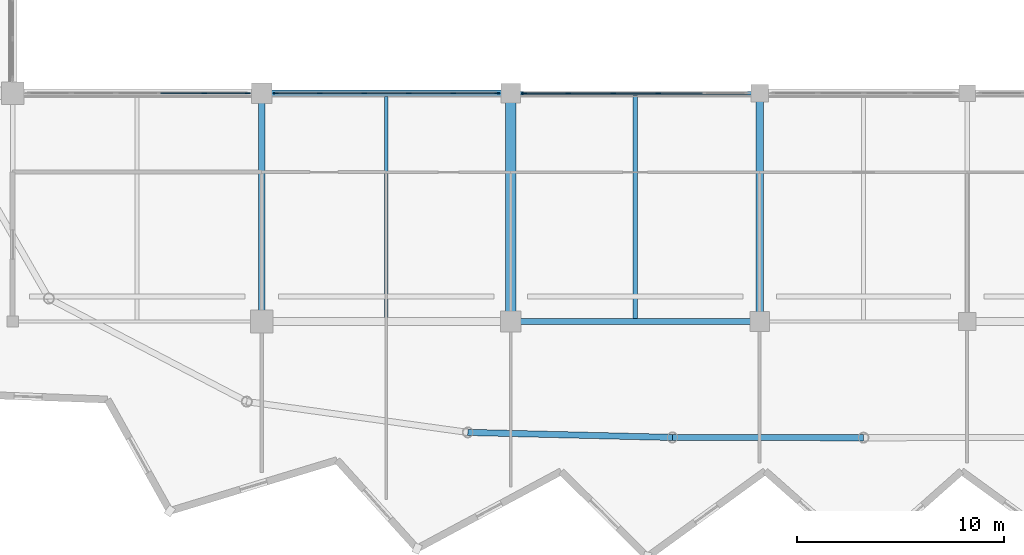
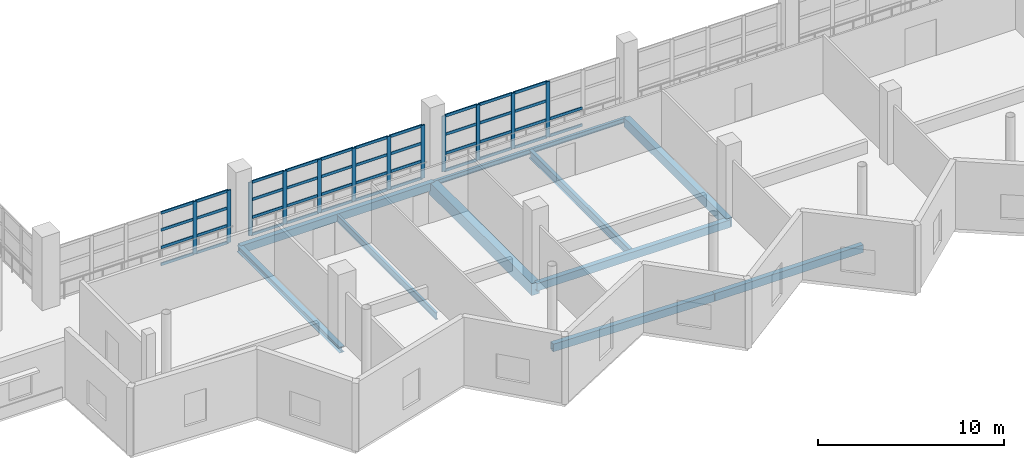
# One storey, part 12 of 53: 54 members, 10 beams, 3 elements without a shape of their own.
"""IFC4 building model written with IfcOpenShell, lengths in metres."""

from ifc_helpers import new_model, si_unit, direction, frame, origin, origin_2d, place, context, subcontext, project, spatial, rectangle, hollow_rectangle, i_section, extrude, material, material_profile, profile_set, type_object, element, aggregate, save


model = new_model("IFC4")

# Units and contexts
model_context = context("Model", 3, precision=1e-05, world=origin(), true_north=direction((0.0, 1.0)))
body_context = subcontext(model_context, "Body", "Model", "MODEL_VIEW")
ifc_project = project(units=[si_unit("LENGTHUNIT", "METRE"), si_unit("AREAUNIT", "SQUARE_METRE"), si_unit("VOLUMEUNIT", "CUBIC_METRE"), si_unit("PLANEANGLEUNIT", "RADIAN"), si_unit("MASSUNIT", "GRAM", prefix="KILO")], contexts=[model_context])

# Site, building, storey
site_placement = place(None, origin())
site = spatial("IfcSite", under=ifc_project, at=site_placement, CompositionType="ELEMENT")
building_placement = place(site_placement, origin())
building = spatial("IfcBuilding", under=site, at=building_placement, Name="Luwafu Chhajja Arena", CompositionType="ELEMENT")
storey_placement = place(building_placement, frame((0.0, 0.0, 19.5)))
storey = spatial("IfcBuildingStorey", under=building, at=storey_placement, Name="L04", CompositionType="ELEMENT", Elevation=19.5)

# Beam
ifc_material_1 = material(Name="Concrete C35/45", Category="concrete")
ifc_material_profile_1 = material_profile(ifc_material_1, rectangle(XDim=0.35009765625, YDim=0.60009765625, at=origin_2d()), Name="RC 350x600")
ifc_profile_set_1 = profile_set([ifc_material_profile_1], Name="Concrete C35/45")
beam_type_1 = type_object("IfcBeamType", Name="Arcade Tie Beam RC 350x600", PredefinedType="BEAM", material=ifc_profile_set_1)
beam_1_placement = place(storey_placement, frame((94.0, 11.0, -0.68994140625), z_axis=(0.0, 1.0, 0.0), x_axis=(-1.0, 0.0, 0.0)))
element("IfcBeam", 1, at=beam_1_placement, inside=storey, type_object=beam_type_1, Name="L04 Grid Beam 9/B-C", PredefinedType="BEAM", context=body_context, shape_type="SweptSolid", body=[
    extrude(rectangle(XDim=0.35009765625, YDim=0.60009765625, at=origin_2d()), origin(), (0.0, 0.0, 1.0), 11.0),
])

# Curtain wall, members
ifc_material_2 = material(Name="Anodised bronze aluminium", Category="aluminium")
curtain_wall_type = type_object("IfcCurtainWallType", Name="Media Ribbon Curtain Wall", PredefinedType="USERDEFINED", material=ifc_material_2)
curtain_wall_1_placement = place(storey_placement, origin())
curtain_wall_1 = element("IfcCurtainWall", 2, at=curtain_wall_1_placement, inside=storey, type_object=curtain_wall_type, Name="L04 Bowl Viewing Curtain Wall CWR-L04-01", ObjectType="CURTAIN WALL", PredefinedType="USERDEFINED")
ifc_material_profile_2 = material_profile(ifc_material_2, rectangle(XDim=0.070068359375, YDim=0.239990234375, at=origin_2d()), Name="CWM 70x240")
ifc_profile_set_2 = profile_set([ifc_material_profile_2], Name="Anodised bronze aluminium")
member_type_1 = type_object("IfcMemberType", Name="Bronze Curtain Wall Mullion 70x240", PredefinedType="MULLION", material=ifc_profile_set_2)
member_1_placement = place(storey_placement, frame((67.22607421875, 22.0, 0.0), z_axis=(0.0, 0.0, 1.0), x_axis=(0.0, 1.0, 0.0)))
member_1 = element("IfcMember", 3, at=member_1_placement, type_object=member_type_1, Name="CW-03 mullion 5", PredefinedType="MULLION", context=body_context, shape_type="SweptSolid", body=[
    extrude(rectangle(XDim=0.070068359375, YDim=0.239990234375, at=origin_2d()), origin(), (0.0, 0.0, 1.0), 3.43994140625),
])
member_2_placement = place(storey_placement, frame((69.324951171875, 22.0, 0.0), z_axis=(0.0, 0.0, 1.0), x_axis=(0.0, 1.0, 0.0)))
member_2 = element("IfcMember", 4, at=member_2_placement, type_object=member_type_1, Name="CW-03 mullion 6", PredefinedType="MULLION", context=body_context, shape_type="SweptSolid", body=[
    extrude(rectangle(XDim=0.070068359375, YDim=0.239990234375, at=origin_2d()), origin(), (0.0, 0.0, 1.0), 3.43994140625),
])

curtain_wall_2_placement = place(storey_placement, origin())
curtain_wall_2 = element("IfcCurtainWall", 5, at=curtain_wall_2_placement, inside=storey, type_object=curtain_wall_type, Name="L04 Bowl Viewing Curtain Wall CWR-L04-02", ObjectType="CURTAIN WALL", PredefinedType="USERDEFINED")
member_3_placement = place(storey_placement, frame((70.675048828125, 22.0, 0.0), z_axis=(0.0, 0.0, 1.0), x_axis=(0.0, 1.0, 0.0)))
member_3 = element("IfcMember", 6, at=member_3_placement, type_object=member_type_1, Name="CW-03 mullion 1", PredefinedType="MULLION", context=body_context, shape_type="SweptSolid", body=[
    extrude(rectangle(XDim=0.070068359375, YDim=0.239990234375, at=origin_2d()), origin(), (0.0, 0.0, 1.0), 3.489990234375),
])
member_4_placement = place(storey_placement, frame((72.7890625, 22.0, 0.0), z_axis=(0.0, 0.0, 1.0), x_axis=(0.0, 1.0, 0.0)))
member_4 = element("IfcMember", 7, at=member_4_placement, type_object=member_type_1, Name="CW-03 mullion 2", PredefinedType="MULLION", context=body_context, shape_type="SweptSolid", body=[
    extrude(rectangle(XDim=0.070068359375, YDim=0.239990234375, at=origin_2d()), origin(), (0.0, 0.0, 1.0), 3.489990234375),
])
member_5_placement = place(storey_placement, frame((74.93798828125, 22.0, 0.0), z_axis=(0.0, 0.0, 1.0), x_axis=(0.0, 1.0, 0.0)))
member_5 = element("IfcMember", 8, at=member_5_placement, type_object=member_type_1, Name="CW-03 mullion 3", PredefinedType="MULLION", context=body_context, shape_type="SweptSolid", body=[
    extrude(rectangle(XDim=0.070068359375, YDim=0.239990234375, at=origin_2d()), origin(), (0.0, 0.0, 1.0), 3.489990234375),
])
member_6_placement = place(storey_placement, frame((77.0869140625, 22.0, 0.0), z_axis=(0.0, 0.0, 1.0), x_axis=(0.0, 1.0, 0.0)))
member_6 = element("IfcMember", 9, at=member_6_placement, type_object=member_type_1, Name="CW-03 mullion 4", PredefinedType="MULLION", context=body_context, shape_type="SweptSolid", body=[
    extrude(rectangle(XDim=0.070068359375, YDim=0.239990234375, at=origin_2d()), origin(), (0.0, 0.0, 1.0), 3.489990234375),
])
member_7_placement = place(storey_placement, frame((79.236083984375, 22.0, 0.0), z_axis=(0.0, 0.0, 1.0), x_axis=(0.0, 1.0, 0.0)))
member_7 = element("IfcMember", 10, at=member_7_placement, type_object=member_type_1, Name="CW-03 mullion 5", PredefinedType="MULLION", context=body_context, shape_type="SweptSolid", body=[
    extrude(rectangle(XDim=0.070068359375, YDim=0.239990234375, at=origin_2d()), origin(), (0.0, 0.0, 1.0), 3.489990234375),
])
member_8_placement = place(storey_placement, frame((81.35009765625, 22.0, 0.0), z_axis=(0.0, 0.0, 1.0), x_axis=(0.0, 1.0, 0.0)))
member_8 = element("IfcMember", 11, at=member_8_placement, type_object=member_type_1, Name="CW-03 mullion 6", PredefinedType="MULLION", context=body_context, shape_type="SweptSolid", body=[
    extrude(rectangle(XDim=0.070068359375, YDim=0.239990234375, at=origin_2d()), origin(), (0.0, 0.0, 1.0), 3.489990234375),
])

curtain_wall_3_placement = place(storey_placement, origin())
curtain_wall_3 = element("IfcCurtainWall", 12, at=curtain_wall_3_placement, inside=storey, type_object=curtain_wall_type, Name="L04 Bowl Viewing Curtain Wall CWR-L04-03", ObjectType="CURTAIN WALL", PredefinedType="USERDEFINED")
member_9_placement = place(storey_placement, frame((82.64990234375, 22.0, 0.0), z_axis=(0.0, 0.0, 1.0), x_axis=(0.0, 1.0, 0.0)))
member_9 = element("IfcMember", 13, at=member_9_placement, type_object=member_type_1, Name="CW-03 mullion 1", PredefinedType="MULLION", context=body_context, shape_type="SweptSolid", body=[
    extrude(rectangle(XDim=0.070068359375, YDim=0.239990234375, at=origin_2d()), origin(), (0.0, 0.0, 1.0), 3.639892578125),
])
member_10_placement = place(storey_placement, frame((84.779052734375, 22.0, 0.0), z_axis=(0.0, 0.0, 1.0), x_axis=(0.0, 1.0, 0.0)))
member_10 = element("IfcMember", 14, at=member_10_placement, type_object=member_type_1, Name="CW-03 mullion 2", PredefinedType="MULLION", context=body_context, shape_type="SweptSolid", body=[
    extrude(rectangle(XDim=0.070068359375, YDim=0.239990234375, at=origin_2d()), origin(), (0.0, 0.0, 1.0), 3.639892578125),
])
member_11_placement = place(storey_placement, frame((86.943115234375, 22.0, 0.0), z_axis=(0.0, 0.0, 1.0), x_axis=(0.0, 1.0, 0.0)))
member_11 = element("IfcMember", 15, at=member_11_placement, type_object=member_type_1, Name="CW-03 mullion 3", PredefinedType="MULLION", context=body_context, shape_type="SweptSolid", body=[
    extrude(rectangle(XDim=0.070068359375, YDim=0.239990234375, at=origin_2d()), origin(), (0.0, 0.0, 1.0), 3.639892578125),
])
member_12_placement = place(storey_placement, frame((89.10693359375, 22.0, 0.0), z_axis=(0.0, 0.0, 1.0), x_axis=(0.0, 1.0, 0.0)))
member_12 = element("IfcMember", 16, at=member_12_placement, type_object=member_type_1, Name="CW-03 mullion 4", PredefinedType="MULLION", context=body_context, shape_type="SweptSolid", body=[
    extrude(rectangle(XDim=0.070068359375, YDim=0.239990234375, at=origin_2d()), origin(), (0.0, 0.0, 1.0), 3.639892578125),
])

# Member
ifc_material_profile_3 = material_profile(ifc_material_2, rectangle(XDim=0.070068359375, YDim=0.179931640625, at=origin_2d()), Name="CWT 70x180")
ifc_profile_set_3 = profile_set([ifc_material_profile_3], Name="Anodised bronze aluminium")
member_type_2 = type_object("IfcMemberType", Name="Bronze Curtain Wall Transom 70x180", PredefinedType="USERDEFINED", material=ifc_profile_set_3)
member_13_placement = place(storey_placement, frame((65.126953125, 22.0, 0.034912109375), z_axis=(1.0, 0.0, 0.0), x_axis=(0.0, 1.0, 0.0)))
member_13 = element("IfcMember", 17, at=member_13_placement, type_object=member_type_2, Name="CW-03 transom 4.1", ObjectType="TRANSOM", PredefinedType="USERDEFINED", context=body_context, shape_type="SweptSolid", body=[
    extrude(rectangle(XDim=0.070068359375, YDim=0.179931640625, at=origin_2d()), origin(), (0.0, 0.0, 1.0), 2.06396484375),
])

member_14_placement = place(storey_placement, frame((65.126953125, 22.0, 1.14990234375), z_axis=(1.0, 0.0, 0.0), x_axis=(0.0, 1.0, 0.0)))
member_14 = element("IfcMember", 18, at=member_14_placement, type_object=member_type_2, Name="CW-03 transom 4.2", ObjectType="TRANSOM", PredefinedType="USERDEFINED", context=body_context, shape_type="SweptSolid", body=[
    extrude(rectangle(XDim=0.070068359375, YDim=0.179931640625, at=origin_2d()), origin(), (0.0, 0.0, 1.0), 2.06396484375),
])

member_15_placement = place(storey_placement, frame((65.126953125, 22.0, 2.294921875), z_axis=(1.0, 0.0, 0.0), x_axis=(0.0, 1.0, 0.0)))
member_15 = element("IfcMember", 19, at=member_15_placement, type_object=member_type_2, Name="CW-03 transom 4.3", ObjectType="TRANSOM", PredefinedType="USERDEFINED", context=body_context, shape_type="SweptSolid", body=[
    extrude(rectangle(XDim=0.070068359375, YDim=0.179931640625, at=origin_2d()), origin(), (0.0, 0.0, 1.0), 2.06396484375),
])

member_16_placement = place(storey_placement, frame((65.126953125, 22.0, 3.405029296875), z_axis=(1.0, 0.0, 0.0), x_axis=(0.0, 1.0, 0.0)))
member_16 = element("IfcMember", 20, at=member_16_placement, type_object=member_type_2, Name="CW-03 transom 4.4", ObjectType="TRANSOM", PredefinedType="USERDEFINED", context=body_context, shape_type="SweptSolid", body=[
    extrude(rectangle(XDim=0.070068359375, YDim=0.179931640625, at=origin_2d()), origin(), (0.0, 0.0, 1.0), 2.06396484375),
])

member_17_placement = place(storey_placement, frame((67.260986328125, 22.0, 0.034912109375), z_axis=(1.0, 0.0, 0.0), x_axis=(0.0, 1.0, 0.0)))
member_17 = element("IfcMember", 21, at=member_17_placement, type_object=member_type_2, Name="CW-03 transom 5.1", ObjectType="TRANSOM", PredefinedType="USERDEFINED", context=body_context, shape_type="SweptSolid", body=[
    extrude(rectangle(XDim=0.070068359375, YDim=0.179931640625, at=origin_2d()), origin(), (0.0, 0.0, 1.0), 2.029052734375),
])

member_18_placement = place(storey_placement, frame((67.260986328125, 22.0, 1.14990234375), z_axis=(1.0, 0.0, 0.0), x_axis=(0.0, 1.0, 0.0)))
member_18 = element("IfcMember", 22, at=member_18_placement, type_object=member_type_2, Name="CW-03 transom 5.2", ObjectType="TRANSOM", PredefinedType="USERDEFINED", context=body_context, shape_type="SweptSolid", body=[
    extrude(rectangle(XDim=0.070068359375, YDim=0.179931640625, at=origin_2d()), origin(), (0.0, 0.0, 1.0), 2.029052734375),
])

member_19_placement = place(storey_placement, frame((67.260986328125, 22.0, 2.294921875), z_axis=(1.0, 0.0, 0.0), x_axis=(0.0, 1.0, 0.0)))
member_19 = element("IfcMember", 23, at=member_19_placement, type_object=member_type_2, Name="CW-03 transom 5.3", ObjectType="TRANSOM", PredefinedType="USERDEFINED", context=body_context, shape_type="SweptSolid", body=[
    extrude(rectangle(XDim=0.070068359375, YDim=0.179931640625, at=origin_2d()), origin(), (0.0, 0.0, 1.0), 2.029052734375),
])

member_20_placement = place(storey_placement, frame((67.260986328125, 22.0, 3.405029296875), z_axis=(1.0, 0.0, 0.0), x_axis=(0.0, 1.0, 0.0)))
member_20 = element("IfcMember", 24, at=member_20_placement, type_object=member_type_2, Name="CW-03 transom 5.4", ObjectType="TRANSOM", PredefinedType="USERDEFINED", context=body_context, shape_type="SweptSolid", body=[
    extrude(rectangle(XDim=0.070068359375, YDim=0.179931640625, at=origin_2d()), origin(), (0.0, 0.0, 1.0), 2.029052734375),
])

aggregate(curtain_wall_1, [member_1, member_2, member_13, member_14, member_15, member_16, member_17, member_18, member_19, member_20])

member_21_placement = place(storey_placement, frame((70.7099609375, 22.0, 0.034912109375), z_axis=(1.0, 0.0, 0.0), x_axis=(0.0, 1.0, 0.0)))
member_21 = element("IfcMember", 25, at=member_21_placement, type_object=member_type_2, Name="CW-03 transom 1.1", ObjectType="TRANSOM", PredefinedType="USERDEFINED", context=body_context, shape_type="SweptSolid", body=[
    extrude(rectangle(XDim=0.070068359375, YDim=0.179931640625, at=origin_2d()), origin(), (0.0, 0.0, 1.0), 2.0439453125),
])

member_22_placement = place(storey_placement, frame((70.7099609375, 22.0, 1.14990234375), z_axis=(1.0, 0.0, 0.0), x_axis=(0.0, 1.0, 0.0)))
member_22 = element("IfcMember", 26, at=member_22_placement, type_object=member_type_2, Name="CW-03 transom 1.2", ObjectType="TRANSOM", PredefinedType="USERDEFINED", context=body_context, shape_type="SweptSolid", body=[
    extrude(rectangle(XDim=0.070068359375, YDim=0.179931640625, at=origin_2d()), origin(), (0.0, 0.0, 1.0), 2.0439453125),
])

member_23_placement = place(storey_placement, frame((70.7099609375, 22.0, 2.320068359375), z_axis=(1.0, 0.0, 0.0), x_axis=(0.0, 1.0, 0.0)))
member_23 = element("IfcMember", 27, at=member_23_placement, type_object=member_type_2, Name="CW-03 transom 1.3", ObjectType="TRANSOM", PredefinedType="USERDEFINED", context=body_context, shape_type="SweptSolid", body=[
    extrude(rectangle(XDim=0.070068359375, YDim=0.179931640625, at=origin_2d()), origin(), (0.0, 0.0, 1.0), 2.0439453125),
])

member_24_placement = place(storey_placement, frame((70.7099609375, 22.0, 3.455078125), z_axis=(1.0, 0.0, 0.0), x_axis=(0.0, 1.0, 0.0)))
member_24 = element("IfcMember", 28, at=member_24_placement, type_object=member_type_2, Name="CW-03 transom 1.4", ObjectType="TRANSOM", PredefinedType="USERDEFINED", context=body_context, shape_type="SweptSolid", body=[
    extrude(rectangle(XDim=0.070068359375, YDim=0.179931640625, at=origin_2d()), origin(), (0.0, 0.0, 1.0), 2.0439453125),
])

member_25_placement = place(storey_placement, frame((72.823974609375, 22.0, 0.034912109375), z_axis=(1.0, 0.0, 0.0), x_axis=(0.0, 1.0, 0.0)))
member_25 = element("IfcMember", 29, at=member_25_placement, type_object=member_type_2, Name="CW-03 transom 2.1", ObjectType="TRANSOM", PredefinedType="USERDEFINED", context=body_context, shape_type="SweptSolid", body=[
    extrude(rectangle(XDim=0.070068359375, YDim=0.179931640625, at=origin_2d()), origin(), (0.0, 0.0, 1.0), 2.0791015625),
])

member_26_placement = place(storey_placement, frame((72.823974609375, 22.0, 1.14990234375), z_axis=(1.0, 0.0, 0.0), x_axis=(0.0, 1.0, 0.0)))
member_26 = element("IfcMember", 30, at=member_26_placement, type_object=member_type_2, Name="CW-03 transom 2.2", ObjectType="TRANSOM", PredefinedType="USERDEFINED", context=body_context, shape_type="SweptSolid", body=[
    extrude(rectangle(XDim=0.070068359375, YDim=0.179931640625, at=origin_2d()), origin(), (0.0, 0.0, 1.0), 2.0791015625),
])

member_27_placement = place(storey_placement, frame((72.823974609375, 22.0, 2.320068359375), z_axis=(1.0, 0.0, 0.0), x_axis=(0.0, 1.0, 0.0)))
member_27 = element("IfcMember", 31, at=member_27_placement, type_object=member_type_2, Name="CW-03 transom 2.3", ObjectType="TRANSOM", PredefinedType="USERDEFINED", context=body_context, shape_type="SweptSolid", body=[
    extrude(rectangle(XDim=0.070068359375, YDim=0.179931640625, at=origin_2d()), origin(), (0.0, 0.0, 1.0), 2.0791015625),
])

member_28_placement = place(storey_placement, frame((72.823974609375, 22.0, 3.455078125), z_axis=(1.0, 0.0, 0.0), x_axis=(0.0, 1.0, 0.0)))
member_28 = element("IfcMember", 32, at=member_28_placement, type_object=member_type_2, Name="CW-03 transom 2.4", ObjectType="TRANSOM", PredefinedType="USERDEFINED", context=body_context, shape_type="SweptSolid", body=[
    extrude(rectangle(XDim=0.070068359375, YDim=0.179931640625, at=origin_2d()), origin(), (0.0, 0.0, 1.0), 2.0791015625),
])

member_29_placement = place(storey_placement, frame((74.972900390625, 22.0, 0.034912109375), z_axis=(1.0, 0.0, 0.0), x_axis=(0.0, 1.0, 0.0)))
member_29 = element("IfcMember", 33, at=member_29_placement, type_object=member_type_2, Name="CW-03 transom 3.1", ObjectType="TRANSOM", PredefinedType="USERDEFINED", context=body_context, shape_type="SweptSolid", body=[
    extrude(rectangle(XDim=0.070068359375, YDim=0.179931640625, at=origin_2d()), origin(), (0.0, 0.0, 1.0), 2.0791015625),
])

member_30_placement = place(storey_placement, frame((74.972900390625, 22.0, 1.14990234375), z_axis=(1.0, 0.0, 0.0), x_axis=(0.0, 1.0, 0.0)))
member_30 = element("IfcMember", 34, at=member_30_placement, type_object=member_type_2, Name="CW-03 transom 3.2", ObjectType="TRANSOM", PredefinedType="USERDEFINED", context=body_context, shape_type="SweptSolid", body=[
    extrude(rectangle(XDim=0.070068359375, YDim=0.179931640625, at=origin_2d()), origin(), (0.0, 0.0, 1.0), 2.0791015625),
])

member_31_placement = place(storey_placement, frame((74.972900390625, 22.0, 2.320068359375), z_axis=(1.0, 0.0, 0.0), x_axis=(0.0, 1.0, 0.0)))
member_31 = element("IfcMember", 35, at=member_31_placement, type_object=member_type_2, Name="CW-03 transom 3.3", ObjectType="TRANSOM", PredefinedType="USERDEFINED", context=body_context, shape_type="SweptSolid", body=[
    extrude(rectangle(XDim=0.070068359375, YDim=0.179931640625, at=origin_2d()), origin(), (0.0, 0.0, 1.0), 2.0791015625),
])

member_32_placement = place(storey_placement, frame((74.972900390625, 22.0, 3.455078125), z_axis=(1.0, 0.0, 0.0), x_axis=(0.0, 1.0, 0.0)))
member_32 = element("IfcMember", 36, at=member_32_placement, type_object=member_type_2, Name="CW-03 transom 3.4", ObjectType="TRANSOM", PredefinedType="USERDEFINED", context=body_context, shape_type="SweptSolid", body=[
    extrude(rectangle(XDim=0.070068359375, YDim=0.179931640625, at=origin_2d()), origin(), (0.0, 0.0, 1.0), 2.0791015625),
])

member_33_placement = place(storey_placement, frame((77.1220703125, 22.0, 0.034912109375), z_axis=(1.0, 0.0, 0.0), x_axis=(0.0, 1.0, 0.0)))
member_33 = element("IfcMember", 37, at=member_33_placement, type_object=member_type_2, Name="CW-03 transom 4.1", ObjectType="TRANSOM", PredefinedType="USERDEFINED", context=body_context, shape_type="SweptSolid", body=[
    extrude(rectangle(XDim=0.070068359375, YDim=0.179931640625, at=origin_2d()), origin(), (0.0, 0.0, 1.0), 2.078857421875),
])

member_34_placement = place(storey_placement, frame((77.1220703125, 22.0, 1.14990234375), z_axis=(1.0, 0.0, 0.0), x_axis=(0.0, 1.0, 0.0)))
member_34 = element("IfcMember", 38, at=member_34_placement, type_object=member_type_2, Name="CW-03 transom 4.2", ObjectType="TRANSOM", PredefinedType="USERDEFINED", context=body_context, shape_type="SweptSolid", body=[
    extrude(rectangle(XDim=0.070068359375, YDim=0.179931640625, at=origin_2d()), origin(), (0.0, 0.0, 1.0), 2.078857421875),
])

member_35_placement = place(storey_placement, frame((77.1220703125, 22.0, 2.320068359375), z_axis=(1.0, 0.0, 0.0), x_axis=(0.0, 1.0, 0.0)))
member_35 = element("IfcMember", 39, at=member_35_placement, type_object=member_type_2, Name="CW-03 transom 4.3", ObjectType="TRANSOM", PredefinedType="USERDEFINED", context=body_context, shape_type="SweptSolid", body=[
    extrude(rectangle(XDim=0.070068359375, YDim=0.179931640625, at=origin_2d()), origin(), (0.0, 0.0, 1.0), 2.078857421875),
])

member_36_placement = place(storey_placement, frame((77.1220703125, 22.0, 3.455078125), z_axis=(1.0, 0.0, 0.0), x_axis=(0.0, 1.0, 0.0)))
member_36 = element("IfcMember", 40, at=member_36_placement, type_object=member_type_2, Name="CW-03 transom 4.4", ObjectType="TRANSOM", PredefinedType="USERDEFINED", context=body_context, shape_type="SweptSolid", body=[
    extrude(rectangle(XDim=0.070068359375, YDim=0.179931640625, at=origin_2d()), origin(), (0.0, 0.0, 1.0), 2.078857421875),
])

member_37_placement = place(storey_placement, frame((79.27099609375, 22.0, 0.034912109375), z_axis=(1.0, 0.0, 0.0), x_axis=(0.0, 1.0, 0.0)))
member_37 = element("IfcMember", 41, at=member_37_placement, type_object=member_type_2, Name="CW-03 transom 5.1", ObjectType="TRANSOM", PredefinedType="USERDEFINED", context=body_context, shape_type="SweptSolid", body=[
    extrude(rectangle(XDim=0.070068359375, YDim=0.179931640625, at=origin_2d()), origin(), (0.0, 0.0, 1.0), 2.0439453125),
])

member_38_placement = place(storey_placement, frame((79.27099609375, 22.0, 1.14990234375), z_axis=(1.0, 0.0, 0.0), x_axis=(0.0, 1.0, 0.0)))
member_38 = element("IfcMember", 42, at=member_38_placement, type_object=member_type_2, Name="CW-03 transom 5.2", ObjectType="TRANSOM", PredefinedType="USERDEFINED", context=body_context, shape_type="SweptSolid", body=[
    extrude(rectangle(XDim=0.070068359375, YDim=0.179931640625, at=origin_2d()), origin(), (0.0, 0.0, 1.0), 2.0439453125),
])

member_39_placement = place(storey_placement, frame((79.27099609375, 22.0, 2.320068359375), z_axis=(1.0, 0.0, 0.0), x_axis=(0.0, 1.0, 0.0)))
member_39 = element("IfcMember", 43, at=member_39_placement, type_object=member_type_2, Name="CW-03 transom 5.3", ObjectType="TRANSOM", PredefinedType="USERDEFINED", context=body_context, shape_type="SweptSolid", body=[
    extrude(rectangle(XDim=0.070068359375, YDim=0.179931640625, at=origin_2d()), origin(), (0.0, 0.0, 1.0), 2.0439453125),
])

member_40_placement = place(storey_placement, frame((79.27099609375, 22.0, 3.455078125), z_axis=(1.0, 0.0, 0.0), x_axis=(0.0, 1.0, 0.0)))
member_40 = element("IfcMember", 44, at=member_40_placement, type_object=member_type_2, Name="CW-03 transom 5.4", ObjectType="TRANSOM", PredefinedType="USERDEFINED", context=body_context, shape_type="SweptSolid", body=[
    extrude(rectangle(XDim=0.070068359375, YDim=0.179931640625, at=origin_2d()), origin(), (0.0, 0.0, 1.0), 2.0439453125),
])

aggregate(curtain_wall_2, [member_3, member_4, member_5, member_6, member_7, member_8, member_21, member_22, member_23, member_24, member_25, member_26, member_27, member_28, member_29, member_30, member_31, member_32, member_33, member_34, member_35, member_36, member_37, member_38, member_39, member_40])

member_41_placement = place(storey_placement, frame((82.68505859375, 22.0, 0.034912109375), z_axis=(1.0, 0.0, 0.0), x_axis=(0.0, 1.0, 0.0)))
member_41 = element("IfcMember", 45, at=member_41_placement, type_object=member_type_2, Name="CW-03 transom 1.1", ObjectType="TRANSOM", PredefinedType="USERDEFINED", context=body_context, shape_type="SweptSolid", body=[
    extrude(rectangle(XDim=0.070068359375, YDim=0.179931640625, at=origin_2d()), origin(), (0.0, 0.0, 1.0), 2.058837890625),
])

member_42_placement = place(storey_placement, frame((82.68505859375, 22.0, 1.14990234375), z_axis=(1.0, 0.0, 0.0), x_axis=(0.0, 1.0, 0.0)))
member_42 = element("IfcMember", 46, at=member_42_placement, type_object=member_type_2, Name="CW-03 transom 1.2", ObjectType="TRANSOM", PredefinedType="USERDEFINED", context=body_context, shape_type="SweptSolid", body=[
    extrude(rectangle(XDim=0.070068359375, YDim=0.179931640625, at=origin_2d()), origin(), (0.0, 0.0, 1.0), 2.058837890625),
])

member_43_placement = place(storey_placement, frame((82.68505859375, 22.0, 2.39501953125), z_axis=(1.0, 0.0, 0.0), x_axis=(0.0, 1.0, 0.0)))
member_43 = element("IfcMember", 47, at=member_43_placement, type_object=member_type_2, Name="CW-03 transom 1.3", ObjectType="TRANSOM", PredefinedType="USERDEFINED", context=body_context, shape_type="SweptSolid", body=[
    extrude(rectangle(XDim=0.070068359375, YDim=0.179931640625, at=origin_2d()), origin(), (0.0, 0.0, 1.0), 2.058837890625),
])

member_44_placement = place(storey_placement, frame((82.68505859375, 22.0, 3.60498046875), z_axis=(1.0, 0.0, 0.0), x_axis=(0.0, 1.0, 0.0)))
member_44 = element("IfcMember", 48, at=member_44_placement, type_object=member_type_2, Name="CW-03 transom 1.4", ObjectType="TRANSOM", PredefinedType="USERDEFINED", context=body_context, shape_type="SweptSolid", body=[
    extrude(rectangle(XDim=0.070068359375, YDim=0.179931640625, at=origin_2d()), origin(), (0.0, 0.0, 1.0), 2.058837890625),
])

member_45_placement = place(storey_placement, frame((84.81396484375, 22.0, 0.034912109375), z_axis=(1.0, 0.0, 0.0), x_axis=(0.0, 1.0, 0.0)))
member_45 = element("IfcMember", 49, at=member_45_placement, type_object=member_type_2, Name="CW-03 transom 2.1", ObjectType="TRANSOM", PredefinedType="USERDEFINED", context=body_context, shape_type="SweptSolid", body=[
    extrude(rectangle(XDim=0.070068359375, YDim=0.179931640625, at=origin_2d()), origin(), (0.0, 0.0, 1.0), 2.093994140625),
])

member_46_placement = place(storey_placement, frame((84.81396484375, 22.0, 1.14990234375), z_axis=(1.0, 0.0, 0.0), x_axis=(0.0, 1.0, 0.0)))
member_46 = element("IfcMember", 50, at=member_46_placement, type_object=member_type_2, Name="CW-03 transom 2.2", ObjectType="TRANSOM", PredefinedType="USERDEFINED", context=body_context, shape_type="SweptSolid", body=[
    extrude(rectangle(XDim=0.070068359375, YDim=0.179931640625, at=origin_2d()), origin(), (0.0, 0.0, 1.0), 2.093994140625),
])

member_47_placement = place(storey_placement, frame((84.81396484375, 22.0, 2.39501953125), z_axis=(1.0, 0.0, 0.0), x_axis=(0.0, 1.0, 0.0)))
member_47 = element("IfcMember", 51, at=member_47_placement, type_object=member_type_2, Name="CW-03 transom 2.3", ObjectType="TRANSOM", PredefinedType="USERDEFINED", context=body_context, shape_type="SweptSolid", body=[
    extrude(rectangle(XDim=0.070068359375, YDim=0.179931640625, at=origin_2d()), origin(), (0.0, 0.0, 1.0), 2.093994140625),
])

member_48_placement = place(storey_placement, frame((84.81396484375, 22.0, 3.60498046875), z_axis=(1.0, 0.0, 0.0), x_axis=(0.0, 1.0, 0.0)))
member_48 = element("IfcMember", 52, at=member_48_placement, type_object=member_type_2, Name="CW-03 transom 2.4", ObjectType="TRANSOM", PredefinedType="USERDEFINED", context=body_context, shape_type="SweptSolid", body=[
    extrude(rectangle(XDim=0.070068359375, YDim=0.179931640625, at=origin_2d()), origin(), (0.0, 0.0, 1.0), 2.093994140625),
])

member_49_placement = place(storey_placement, frame((86.97802734375, 22.0, 0.034912109375), z_axis=(1.0, 0.0, 0.0), x_axis=(0.0, 1.0, 0.0)))
member_49 = element("IfcMember", 53, at=member_49_placement, type_object=member_type_2, Name="CW-03 transom 3.1", ObjectType="TRANSOM", PredefinedType="USERDEFINED", context=body_context, shape_type="SweptSolid", body=[
    extrude(rectangle(XDim=0.070068359375, YDim=0.179931640625, at=origin_2d()), origin(), (0.0, 0.0, 1.0), 2.093994140625),
])

member_50_placement = place(storey_placement, frame((86.97802734375, 22.0, 1.14990234375), z_axis=(1.0, 0.0, 0.0), x_axis=(0.0, 1.0, 0.0)))
member_50 = element("IfcMember", 54, at=member_50_placement, type_object=member_type_2, Name="CW-03 transom 3.2", ObjectType="TRANSOM", PredefinedType="USERDEFINED", context=body_context, shape_type="SweptSolid", body=[
    extrude(rectangle(XDim=0.070068359375, YDim=0.179931640625, at=origin_2d()), origin(), (0.0, 0.0, 1.0), 2.093994140625),
])

member_51_placement = place(storey_placement, frame((86.97802734375, 22.0, 2.39501953125), z_axis=(1.0, 0.0, 0.0), x_axis=(0.0, 1.0, 0.0)))
member_51 = element("IfcMember", 55, at=member_51_placement, type_object=member_type_2, Name="CW-03 transom 3.3", ObjectType="TRANSOM", PredefinedType="USERDEFINED", context=body_context, shape_type="SweptSolid", body=[
    extrude(rectangle(XDim=0.070068359375, YDim=0.179931640625, at=origin_2d()), origin(), (0.0, 0.0, 1.0), 2.093994140625),
])

member_52_placement = place(storey_placement, frame((86.97802734375, 22.0, 3.60498046875), z_axis=(1.0, 0.0, 0.0), x_axis=(0.0, 1.0, 0.0)))
member_52 = element("IfcMember", 56, at=member_52_placement, type_object=member_type_2, Name="CW-03 transom 3.4", ObjectType="TRANSOM", PredefinedType="USERDEFINED", context=body_context, shape_type="SweptSolid", body=[
    extrude(rectangle(XDim=0.070068359375, YDim=0.179931640625, at=origin_2d()), origin(), (0.0, 0.0, 1.0), 2.093994140625),
])

member_53_placement = place(storey_placement, frame((89.14208984375, 22.0, 0.034912109375), z_axis=(1.0, 0.0, 0.0), x_axis=(0.0, 1.0, 0.0)))
member_53 = element("IfcMember", 57, at=member_53_placement, type_object=member_type_2, Name="CW-03 transom 4.1", ObjectType="TRANSOM", PredefinedType="USERDEFINED", context=body_context, shape_type="SweptSolid", body=[
    extrude(rectangle(XDim=0.070068359375, YDim=0.179931640625, at=origin_2d()), origin(), (0.0, 0.0, 1.0), 2.093994140625),
])

member_54_placement = place(storey_placement, frame((89.14208984375, 22.0, 1.14990234375), z_axis=(1.0, 0.0, 0.0), x_axis=(0.0, 1.0, 0.0)))
member_54 = element("IfcMember", 58, at=member_54_placement, type_object=member_type_2, Name="CW-03 transom 4.2", ObjectType="TRANSOM", PredefinedType="USERDEFINED", context=body_context, shape_type="SweptSolid", body=[
    extrude(rectangle(XDim=0.070068359375, YDim=0.179931640625, at=origin_2d()), origin(), (0.0, 0.0, 1.0), 2.093994140625),
])

aggregate(curtain_wall_3, [member_9, member_10, member_11, member_12, member_41, member_42, member_43, member_44, member_45, member_46, member_47, member_48, member_49, member_50, member_51, member_52, member_53, member_54])

# Beams
ifc_material_3 = material(Name="Steel S355", Category="steel")
ifc_material_profile_4 = material_profile(ifc_material_3, i_section(OverallWidth=0.165771484375, OverallDepth=0.306640625, WebThickness=0.006591796875, FlangeThickness=0.01171875, at=origin_2d()), Name="UB 305x165x46")
ifc_profile_set_4 = profile_set([ifc_material_profile_4], Name="Steel S355")
beam_type_2 = type_object("IfcBeamType", Name="Concourse Edge Spandrel Beam UB 305x165x46", PredefinedType="SPANDREL", material=ifc_profile_set_4)
beam_2_placement = place(storey_placement, frame((82.0, 22.0, -0.543212890625), z_axis=(1.0, 0.0, 0.0), x_axis=(0.0, 1.0, 0.0)))
element("IfcBeam", 59, at=beam_2_placement, inside=storey, type_object=beam_type_2, Name="L04 Grid Beam 8-9/C", PredefinedType="SPANDREL", context=body_context, shape_type="SweptSolid", body=[
    extrude(i_section(OverallWidth=0.165771484375, OverallDepth=0.306640625, WebThickness=0.006591796875, FlangeThickness=0.01171875, at=origin_2d()), origin(), (0.0, 0.0, 1.0), 12.0),
])
ifc_material_profile_5 = material_profile(ifc_material_3, i_section(OverallWidth=0.15283203125, OverallDepth=0.45458984375, WebThickness=0.008056640625, FlangeThickness=0.01318359375, at=origin_2d()), Name="UB 457x152x60")
ifc_profile_set_5 = profile_set([ifc_material_profile_5], Name="Steel S355")
beam_type_3 = type_object("IfcBeamType", Name="Floor Joist UB 457x152x60", PredefinedType="JOIST", material=ifc_profile_set_5)
beam_3_placement = place(storey_placement, frame((76.0, 11.199951171875, -0.6171875), z_axis=(0.0, 1.0, 0.0), x_axis=(-1.0, 0.0, 0.0)))
element("IfcBeam", 60, at=beam_3_placement, inside=storey, type_object=beam_type_3, Name="L04 Secondary Joist 7-8/B", PredefinedType="JOIST", context=body_context, shape_type="SweptSolid", body=[
    extrude(i_section(OverallWidth=0.15283203125, OverallDepth=0.45458984375, WebThickness=0.008056640625, FlangeThickness=0.01318359375, at=origin_2d()), origin(), (0.0, 0.0, 1.0), 10.650146484375),
])
ifc_material_profile_6 = material_profile(ifc_material_3, i_section(OverallWidth=0.2099609375, OverallDepth=0.53662109375, WebThickness=0.0107421875, FlangeThickness=0.017333984375, at=origin_2d()), Name="UB 533x210x101")
ifc_profile_set_6 = profile_set([ifc_material_profile_6], Name="Steel S355")
beam_type_4 = type_object("IfcBeamType", Name="Floor Joist UB 533x210x101", PredefinedType="JOIST", material=ifc_profile_set_6)
beam_4_placement = place(storey_placement, frame((88.0, 11.14990234375, -0.658447265625), z_axis=(0.0, 1.0, 0.0), x_axis=(-1.0, 0.0, 0.0)))
element("IfcBeam", 61, at=beam_4_placement, inside=storey, type_object=beam_type_4, Name="L04 Secondary Joist 8-9/B", PredefinedType="JOIST", context=body_context, shape_type="SweptSolid", body=[
    extrude(i_section(OverallWidth=0.2099609375, OverallDepth=0.53662109375, WebThickness=0.0107421875, FlangeThickness=0.017333984375, at=origin_2d()), origin(), (0.0, 0.0, 1.0), 10.76708984375),
])
ifc_material_profile_7 = material_profile(ifc_material_1, rectangle(XDim=0.5, YDim=0.800048828125, at=origin_2d()), Name="RC 500x800")
ifc_profile_set_7 = profile_set([ifc_material_profile_7], Name="Concrete C35/45")
beam_type_5 = type_object("IfcBeamType", Name="Hospitality Primary Beam RC 500x800", PredefinedType="BEAM", material=ifc_profile_set_7)
beam_5_placement = place(storey_placement, frame((82.0, 11.0, -0.7900390625), z_axis=(0.0, 1.0, 0.0), x_axis=(-1.0, 0.0, 0.0)))
element("IfcBeam", 62, at=beam_5_placement, inside=storey, type_object=beam_type_5, Name="L04 Grid Beam 8/B-C", PredefinedType="BEAM", context=body_context, shape_type="SweptSolid", body=[
    extrude(rectangle(XDim=0.5, YDim=0.800048828125, at=origin_2d()), origin(), (0.0, 0.0, 1.0), 11.0),
])
ifc_material_profile_8 = material_profile(ifc_material_3, hollow_rectangle(XDim=0.300048828125, YDim=0.5, WallThickness=0.02001953125, at=origin_2d()), Name="RHS 500x300x20")
ifc_profile_set_8 = profile_set([ifc_material_profile_8], Name="Steel S355")
beam_type_6 = type_object("IfcBeamType", Name="Pleated Drum Spandrel Beam RHS 500x300", PredefinedType="SPANDREL", material=ifc_profile_set_8)
for number, where, z_axis, x_axis, name in (
    (63, (70.0, 22.0, -0.639892578125), (1.0, 0.0, 0.0), (0.0, 1.0, 0.0), "L04 Grid Beam 7-8/C"),
    (64, (82.0, 11.0, -0.639892578125), (1.0, 0.0, 0.0), (0.0, 1.0, 0.0), "L04 Grid Beam 8-9/B"),
):
    element("IfcBeam", number, at=place(storey_placement, frame(where, z_axis=z_axis, x_axis=x_axis)), inside=storey, type_object=beam_type_6, Name=name, PredefinedType="SPANDREL", context=body_context, shape_type="SweptSolid", body=[
        extrude(hollow_rectangle(XDim=0.300048828125, YDim=0.5, WallThickness=0.02001953125, at=origin_2d()), origin(), (0.0, 0.0, 1.0), 12.0),
    ])
beam_6_placement = place(storey_placement, frame((79.932861328125, 5.6552734375, -0.639892578125), z_axis=(0.999695420837, -0.024679253567, 0.0), x_axis=(0.024679253567, 0.999695420837, 0.0)))
element("IfcBeam", 65, at=beam_6_placement, inside=storey, type_object=beam_type_6, Name="L04 Drum Ring Spandrel D23-D24", PredefinedType="SPANDREL", context=body_context, shape_type="SweptSolid", body=[
    extrude(hollow_rectangle(XDim=0.300048828125, YDim=0.5, WallThickness=0.02001953125, at=origin_2d()), origin(), (0.0, 0.0, 1.0), 9.86279296875),
])
beam_7_placement = place(storey_placement, frame((89.792724609375, 5.411865234375, -0.639892578125), z_axis=(0.999999155928, -0.001299285621, 0.0), x_axis=(0.001299285621, 0.999999155928, 0.0)))
element("IfcBeam", 66, at=beam_7_placement, inside=storey, type_object=beam_type_6, Name="L04 Drum Ring Spandrel D24-D25", PredefinedType="SPANDREL", context=body_context, shape_type="SweptSolid", body=[
    extrude(hollow_rectangle(XDim=0.300048828125, YDim=0.5, WallThickness=0.02001953125, at=origin_2d()), origin(), (0.0, 0.0, 1.0), 9.207275390625),
])
ifc_material_profile_9 = material_profile(ifc_material_3, i_section(OverallWidth=0.300048828125, OverallDepth=0.39990234375, WebThickness=0.013427734375, FlangeThickness=0.02392578125, at=origin_2d()), Name="HEB 400")
ifc_profile_set_9 = profile_set([ifc_material_profile_9], Name="Steel S355")
beam_type_7 = type_object("IfcBeamType", Name="Steel Rigging Grid Beam HEB 400", PredefinedType="BEAM", material=ifc_profile_set_9)
beam_8_placement = place(storey_placement, frame((70.0, 11.0, -0.590087890625), z_axis=(0.0, 1.0, 0.0), x_axis=(-1.0, 0.0, 0.0)))
element("IfcBeam", 67, at=beam_8_placement, inside=storey, type_object=beam_type_7, Name="L04 Grid Beam 7/B-C", PredefinedType="BEAM", context=body_context, shape_type="SweptSolid", body=[
    extrude(i_section(OverallWidth=0.300048828125, OverallDepth=0.39990234375, WebThickness=0.013427734375, FlangeThickness=0.02392578125, at=origin_2d()), origin(), (0.0, 0.0, 1.0), 11.0),
])

save(model, "model.ifc")
